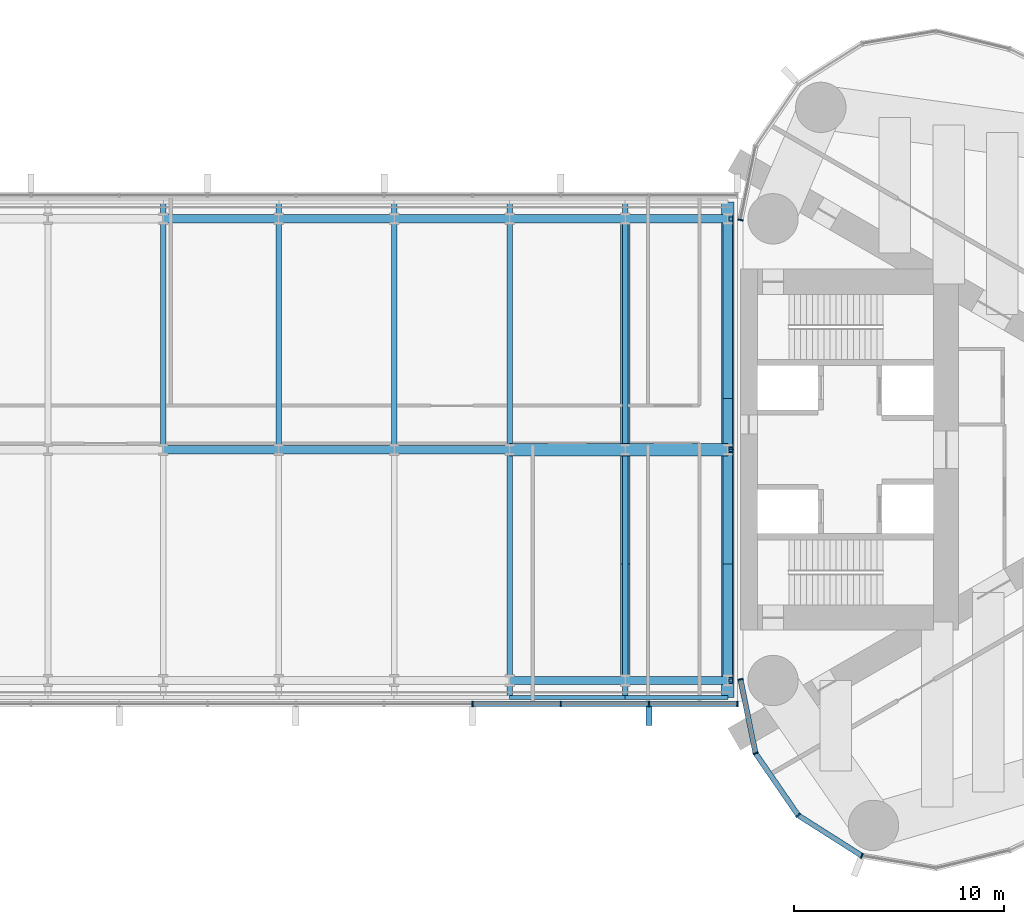
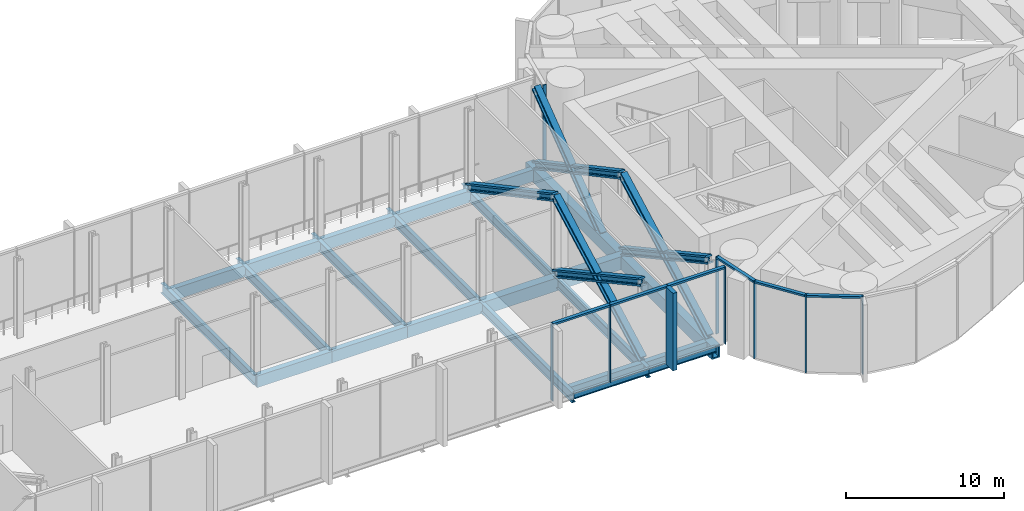
# One storey, part 8 of 21: 23 beams, 23 members, 2 elements without a shape of their own.
"""IFC4 building model written with IfcOpenShell, lengths in metres."""

from ifc_helpers import new_model, si_unit, direction, frame, origin, origin_2d, place, context, subcontext, project, spatial, rectangle, hollow_rectangle, i_section, extrude, material, material_profile, profile_set, type_object, element, aggregate, save


model = new_model("IFC4")

# Units and contexts
model_context = context("Model", 3, precision=1e-05, world=origin(), true_north=direction((0.0, 1.0)))
body_context = subcontext(model_context, "Body", "Model", "MODEL_VIEW")
ifc_project = project(units=[si_unit("LENGTHUNIT", "METRE"), si_unit("AREAUNIT", "SQUARE_METRE"), si_unit("VOLUMEUNIT", "CUBIC_METRE"), si_unit("PLANEANGLEUNIT", "RADIAN"), si_unit("MASSUNIT", "GRAM", prefix="KILO")], contexts=[model_context])

# Site, building, storey
site_placement = place(None, origin())
site = spatial("IfcSite", under=ifc_project, at=site_placement, CompositionType="ELEMENT")
building_placement = place(site_placement, origin())
building = spatial("IfcBuilding", under=site, at=building_placement, Name="Lancet Gate Hotel", CompositionType="ELEMENT")
storey_placement = place(building_placement, frame((0.0, 0.0, 257.300048828125)))
storey = spatial("IfcBuildingStorey", under=building, at=storey_placement, Name="L68", CompositionType="ELEMENT", Elevation=257.300048828125)

# Curtain wall, members
ifc_material_1 = material(Name="Aluminium curtain wall", Category="aluminium")
curtain_wall_type = type_object("IfcCurtainWallType", Name="Sky deck full-height glazing", PredefinedType="USERDEFINED", material=ifc_material_1)
curtain_wall_1_placement = place(storey_placement, origin())
curtain_wall_1 = element("IfcCurtainWall", 1, at=curtain_wall_1_placement, inside=storey, type_object=curtain_wall_type, Name="T2 L68 curtain wall 1", ObjectType="UNITISED CURTAIN WALL", PredefinedType="USERDEFINED")
ifc_material_2 = material(Name="Aluminium mullion", Category="aluminium")
ifc_material_profile_1 = material_profile(ifc_material_2, rectangle(XDim=0.06494140625, YDim=0.25, at=origin_2d()), Name="MULLION 65x250")
ifc_profile_set_1 = profile_set([ifc_material_profile_1], Name="Aluminium mullion")
member_type_1 = type_object("IfcMemberType", Name="Aluminium mullion 65x250", PredefinedType="MULLION", material=ifc_profile_set_1)
member_1_placement = place(storey_placement, frame((27.5, -10.947998046875, 0.0), z_axis=(0.0, 0.0, 1.0), x_axis=(0.199533486841, -0.979891008036, 0.0)))
member_1 = element("IfcMember", 2, at=member_1_placement, type_object=member_type_1, Name="T2 L68 curtain wall 1 mullion 1", PredefinedType="MULLION", context=body_context, shape_type="SweptSolid", body=[
    extrude(rectangle(XDim=0.06494140625, YDim=0.25, at=origin_2d()), origin(), (0.0, 0.0, 1.0), 6.0),
])
member_2_placement = place(storey_placement, frame((28.216552734375, -14.467529296875, 0.0), z_axis=(0.0, 0.0, 1.0), x_axis=(0.391042139098, -0.920372775265, 0.0)))
member_2 = element("IfcMember", 3, at=member_2_placement, type_object=member_type_1, Name="T2 L68 curtain wall 1 mullion 2", PredefinedType="MULLION", context=body_context, shape_type="SweptSolid", body=[
    extrude(rectangle(XDim=0.06494140625, YDim=0.25, at=origin_2d()), origin(), (0.0, 0.0, 1.0), 6.0),
])
member_3_placement = place(storey_placement, frame((30.25244140625, -17.42626953125, 0.0), z_axis=(0.0, 0.0, 1.0), x_axis=(0.719809077627, -0.694172090886, 0.0)))
member_3 = element("IfcMember", 4, at=member_3_placement, type_object=member_type_1, Name="T2 L68 curtain wall 1 mullion 3", PredefinedType="MULLION", context=body_context, shape_type="SweptSolid", body=[
    extrude(rectangle(XDim=0.06494140625, YDim=0.25, at=origin_2d()), origin(), (0.0, 0.0, 1.0), 6.0),
])
member_4_placement = place(storey_placement, frame((33.283203125, -19.353515625, 0.0), z_axis=(0.0, 0.0, 1.0), x_axis=(0.93394321776, -0.357421412343, 0.0)))
member_4 = element("IfcMember", 5, at=member_4_placement, type_object=member_type_1, Name="T2 L68 curtain wall 1 mullion 4", PredefinedType="MULLION", context=body_context, shape_type="SweptSolid", body=[
    extrude(rectangle(XDim=0.06494140625, YDim=0.25, at=origin_2d()), origin(), (0.0, 0.0, 1.0), 6.0),
])
member_5_placement = place(storey_placement, frame((27.5, 10.947998046875, 0.0), z_axis=(0.0, 0.0, 1.0), x_axis=(-0.199533486841, -0.979891008036, 0.0)))
member_5 = element("IfcMember", 6, at=member_5_placement, type_object=member_type_1, Name="T2 L68 curtain wall 1 mullion 27", PredefinedType="MULLION", context=body_context, shape_type="SweptSolid", body=[
    extrude(rectangle(XDim=0.06494140625, YDim=0.25, at=origin_2d()), origin(), (0.0, 0.0, 1.0), 6.0),
])

curtain_wall_2_placement = place(storey_placement, origin())
curtain_wall_2 = element("IfcCurtainWall", 7, at=curtain_wall_2_placement, inside=storey, type_object=curtain_wall_type, Name="Bridge block L68 curtain wall S", ObjectType="UNITISED CURTAIN WALL", PredefinedType="USERDEFINED")
member_6_placement = place(storey_placement, frame((14.726806640625, -12.1201171875, 0.0), z_axis=(0.0, 0.0, 1.0), x_axis=(1.0, 0.0, 0.0)))
member_6 = element("IfcMember", 8, at=member_6_placement, type_object=member_type_1, Name="Bridge block L68 curtain wall S mullion 11", PredefinedType="MULLION", context=body_context, shape_type="SweptSolid", body=[
    extrude(rectangle(XDim=0.06494140625, YDim=0.25, at=origin_2d()), origin(), (0.0, 0.0, 1.0), 6.0),
])
member_7_placement = place(storey_placement, frame((18.9345703125, -12.1201171875, 0.0), z_axis=(0.0, 0.0, 1.0), x_axis=(1.0, 0.0, 0.0)))
member_7 = element("IfcMember", 9, at=member_7_placement, type_object=member_type_1, Name="Bridge block L68 curtain wall S mullion 12", PredefinedType="MULLION", context=body_context, shape_type="SweptSolid", body=[
    extrude(rectangle(XDim=0.06494140625, YDim=0.25, at=origin_2d()), origin(), (0.0, 0.0, 1.0), 6.0),
])
member_8_placement = place(storey_placement, frame((23.142333984375, -12.1201171875, 0.0), z_axis=(0.0, 0.0, 1.0), x_axis=(1.0, 0.0, 0.0)))
member_8 = element("IfcMember", 10, at=member_8_placement, type_object=member_type_1, Name="Bridge block L68 curtain wall S mullion 13", PredefinedType="MULLION", context=body_context, shape_type="SweptSolid", body=[
    extrude(rectangle(XDim=0.06494140625, YDim=0.25, at=origin_2d()), origin(), (0.0, 0.0, 1.0), 6.0),
])
member_9_placement = place(storey_placement, frame((27.35009765625, -12.1201171875, 0.0), z_axis=(0.0, 0.0, 1.0), x_axis=(1.0, 0.0, 0.0)))
member_9 = element("IfcMember", 11, at=member_9_placement, type_object=member_type_1, Name="Bridge block L68 curtain wall S mullion 14", PredefinedType="MULLION", context=body_context, shape_type="SweptSolid", body=[
    extrude(rectangle(XDim=0.06494140625, YDim=0.25, at=origin_2d()), origin(), (0.0, 0.0, 1.0), 6.0),
])

# Member
ifc_material_3 = material(Name="Aluminium transom", Category="aluminium")
ifc_material_profile_2 = material_profile(ifc_material_3, rectangle(XDim=0.25, YDim=0.14990234375, at=origin_2d()), Name="TRANSOM 250x150")
ifc_profile_set_2 = profile_set([ifc_material_profile_2], Name="Aluminium transom")
member_type_2 = type_object("IfcMemberType", Name="Aluminium transom 250x150", PredefinedType="USERDEFINED", material=ifc_profile_set_2)
member_10_placement = place(storey_placement, frame((27.506591796875, -10.97998046875, 5.925048828125), z_axis=(0.19952323725, -0.979893095086, 0.0), x_axis=(0.979893095086, 0.19952323725, 0.0)))
member_10 = element("IfcMember", 12, at=member_10_placement, type_object=member_type_2, Name="T2 L68 curtain wall 1 transom 1", ObjectType="TRANSOM", PredefinedType="USERDEFINED", context=body_context, shape_type="SweptSolid", body=[
    extrude(rectangle(XDim=0.25, YDim=0.14990234375, at=origin_2d()), origin(), (0.0, 0.0, 1.0), 3.5263671875),
])

member_11_placement = place(storey_placement, frame((28.235107421875, -14.494140625, 5.925048828125), z_axis=(0.566813768052, -0.82384595183, 0.0), x_axis=(0.82384595183, 0.566813768052, 0.0)))
member_11 = element("IfcMember", 13, at=member_11_placement, type_object=member_type_2, Name="T2 L68 curtain wall 1 transom 2", ObjectType="TRANSOM", PredefinedType="USERDEFINED", context=body_context, shape_type="SweptSolid", body=[
    extrude(rectangle(XDim=0.25, YDim=0.14990234375, at=origin_2d()), origin(), (0.0, 0.0, 1.0), 3.52685546875),
])

member_12_placement = place(storey_placement, frame((30.27978515625, -17.44384765625, 5.925048828125), z_axis=(0.84385811281, -0.536566384938, 0.0), x_axis=(0.536566384938, 0.84385811281, 0.0)))
member_12 = element("IfcMember", 14, at=member_12_placement, type_object=member_type_2, Name="T2 L68 curtain wall 1 transom 3", ObjectType="TRANSOM", PredefinedType="USERDEFINED", context=body_context, shape_type="SweptSolid", body=[
    extrude(rectangle(XDim=0.25, YDim=0.14990234375, at=origin_2d()), origin(), (0.0, 0.0, 1.0), 3.52685546875),
])

aggregate(curtain_wall_1, [member_1, member_2, member_3, member_4, member_5, member_10, member_11, member_12])

member_13_placement = place(storey_placement, frame((14.759521484375, -12.1201171875, 5.925048828125), z_axis=(1.0, 0.0, 0.0), x_axis=(0.0, 1.0, 0.0)))
member_13 = element("IfcMember", 15, at=member_13_placement, type_object=member_type_2, Name="Bridge block L68 curtain wall S transom 11", ObjectType="TRANSOM", PredefinedType="USERDEFINED", context=body_context, shape_type="SweptSolid", body=[
    extrude(rectangle(XDim=0.25, YDim=0.14990234375, at=origin_2d()), origin(), (0.0, 0.0, 1.0), 4.142578125),
])

member_14_placement = place(storey_placement, frame((18.967041015625, -12.1201171875, 5.925048828125), z_axis=(1.0, 0.0, 0.0), x_axis=(0.0, 1.0, 0.0)))
member_14 = element("IfcMember", 16, at=member_14_placement, type_object=member_type_2, Name="Bridge block L68 curtain wall S transom 12", ObjectType="TRANSOM", PredefinedType="USERDEFINED", context=body_context, shape_type="SweptSolid", body=[
    extrude(rectangle(XDim=0.25, YDim=0.14990234375, at=origin_2d()), origin(), (0.0, 0.0, 1.0), 4.142822265625),
])

member_15_placement = place(storey_placement, frame((23.1748046875, -12.1201171875, 5.925048828125), z_axis=(1.0, 0.0, 0.0), x_axis=(0.0, 1.0, 0.0)))
member_15 = element("IfcMember", 17, at=member_15_placement, type_object=member_type_2, Name="Bridge block L68 curtain wall S transom 13", ObjectType="TRANSOM", PredefinedType="USERDEFINED", context=body_context, shape_type="SweptSolid", body=[
    extrude(rectangle(XDim=0.25, YDim=0.14990234375, at=origin_2d()), origin(), (0.0, 0.0, 1.0), 4.142578125),
])

# Beams
ifc_material_4 = material(Name="Steel S355", Category="steel")
ifc_material_profile_3 = material_profile(ifc_material_4, i_section(OverallWidth=0.26806640625, OverallDepth=0.769775390625, WebThickness=0.015625, FlangeThickness=0.025390625, FilletRadius=0.0166015625, at=origin_2d()), Name="UKB 762x267x197")
ifc_profile_set_3 = profile_set([ifc_material_profile_3], Name="Steel S355")
beam_type_1 = type_object("IfcBeamType", Name="Block assembly floor beam UKB 762x267x197", PredefinedType="JOIST", material=ifc_profile_set_3)
for number, where, z_axis, x_axis, name in (
    (18, (0.0, 0.0, -0.5849609375), (0.0, 1.0, 0.0), (-1.0, 0.0, 0.0), "Block beam x5 N L68"),
    (19, (5.5, 0.0, -0.5849609375), (0.0, 1.0, 0.0), (-1.0, 0.0, 0.0), "Block beam x6 N L68"),
    (20, (11.0, 0.0, -0.5849609375), (0.0, 1.0, 0.0), (-1.0, 0.0, 0.0), "Block beam x7 N L68"),
    (21, (16.5, -11.800048828125, -0.5849609375), (0.0, 1.0, 0.0), (-1.0, 0.0, 0.0), "Block beam x8 S L68"),
    (22, (16.5, 0.0, -0.5849609375), (0.0, 1.0, 0.0), (-1.0, 0.0, 0.0), "Block beam x8 N L68"),
    (23, (22.0, -11.800048828125, -0.5849609375), (0.0, 1.0, 0.0), (-1.0, 0.0, 0.0), "Block beam x9 S L68"),
    (24, (22.0, 0.0, -0.5849609375), (0.0, 1.0, 0.0), (-1.0, 0.0, 0.0), "Block beam x9 N L68"),
):
    element("IfcBeam", number, at=place(storey_placement, frame(where, z_axis=z_axis, x_axis=x_axis)), inside=storey, type_object=beam_type_1, Name=name, PredefinedType="JOIST", context=body_context, shape_type="SweptSolid", body=[
        extrude(i_section(OverallWidth=0.26806640625, OverallDepth=0.769775390625, WebThickness=0.015625, FlangeThickness=0.025390625, FilletRadius=0.0166015625, at=origin_2d()), origin(), (0.0, 0.0, 1.0), 11.800048828125),
    ])

# Members
ifc_material_5 = material(Name="Steel S460", Category="steel")
ifc_material_profile_4 = material_profile(ifc_material_5, i_section(OverallWidth=0.4541015625, OverallDepth=0.569091796875, WebThickness=0.077880859375, FlangeThickness=0.125, FilletRadius=0.02001953125, at=origin_2d()), Name="HD 400x1086")
ifc_profile_set_4 = profile_set([ifc_material_profile_4], Name="Steel S460")
member_type_3 = type_object("IfcMemberType", Name="Block brace HD 400x1086", PredefinedType="BRACE", material=ifc_profile_set_4)
member_16_placement = place(storey_placement, frame((26.89990234375, -11.0, 0.0), z_axis=(0.0, 0.881244921755, 0.472659907207), x_axis=(-1.0, 0.0, 0.0)))
element("IfcMember", 25, at=member_16_placement, inside=storey, type_object=member_type_3, Name="Block brace EY11 L68", PredefinedType="BRACE", context=body_context, shape_type="SweptSolid", body=[
    extrude(i_section(OverallWidth=0.4541015625, OverallDepth=0.569091796875, WebThickness=0.077880859375, FlangeThickness=0.125, FilletRadius=0.02001953125, at=origin_2d()), origin(), (0.0, 0.0, 1.0), 12.482421875),
])
member_17_placement = place(storey_placement, frame((26.89990234375, 0.0, 0.0), z_axis=(0.0, -0.877895572914, 0.478852130681), x_axis=(1.0, 0.0, 0.0)))
element("IfcMember", 26, at=member_17_placement, inside=storey, type_object=member_type_3, Name="Block brace EY12 L68", PredefinedType="BRACE", context=body_context, shape_type="SweptSolid", body=[
    extrude(i_section(OverallWidth=0.4541015625, OverallDepth=0.569091796875, WebThickness=0.077880859375, FlangeThickness=0.125, FilletRadius=0.02001953125, at=origin_2d()), origin(), (0.0, 0.0, 1.0), 12.530029296875),
])
for number, where, z_axis, x_axis, name in (
    (27, (26.89990234375, 11.0, 0.0), (0.0, -0.881244921755, 0.472659907207), (1.0, 0.0, 0.0), "Block brace EY22 L68"),
    (28, (22.0, -11.0, 0.0), (0.0, 0.881244921755, 0.472659907207), (-1.0, 0.0, 0.0), "Block brace EI11 L68"),
):
    element("IfcMember", number, at=place(storey_placement, frame(where, z_axis=z_axis, x_axis=x_axis)), inside=storey, type_object=member_type_3, Name=name, PredefinedType="BRACE", context=body_context, shape_type="SweptSolid", body=[
        extrude(i_section(OverallWidth=0.4541015625, OverallDepth=0.569091796875, WebThickness=0.077880859375, FlangeThickness=0.125, FilletRadius=0.02001953125, at=origin_2d()), origin(), (0.0, 0.0, 1.0), 12.482421875),
    ])
member_18_placement = place(storey_placement, frame((22.0, 0.0, 0.0), z_axis=(0.0, -0.877895572914, 0.478852130681), x_axis=(1.0, 0.0, 0.0)))
element("IfcMember", 29, at=member_18_placement, inside=storey, type_object=member_type_3, Name="Block brace EI12 L68", PredefinedType="BRACE", context=body_context, shape_type="SweptSolid", body=[
    extrude(i_section(OverallWidth=0.4541015625, OverallDepth=0.569091796875, WebThickness=0.077880859375, FlangeThickness=0.125, FilletRadius=0.02001953125, at=origin_2d()), origin(), (0.0, 0.0, 1.0), 12.530029296875),
])
member_19_placement = place(storey_placement, frame((22.0, 11.0, 0.0), z_axis=(0.0, -0.881244921755, 0.472659907207), x_axis=(1.0, 0.0, 0.0)))
element("IfcMember", 30, at=member_19_placement, inside=storey, type_object=member_type_3, Name="Block brace EI22 L68", PredefinedType="BRACE", context=body_context, shape_type="SweptSolid", body=[
    extrude(i_section(OverallWidth=0.4541015625, OverallDepth=0.569091796875, WebThickness=0.077880859375, FlangeThickness=0.125, FilletRadius=0.02001953125, at=origin_2d()), origin(), (0.0, 0.0, 1.0), 12.482421875),
])
member_20_placement = place(storey_placement, frame((26.89990234375, 2.60009765625, -0.300048828125), z_axis=(0.0, 0.799994419582, 0.600007440485), x_axis=(-1.0, 0.0, 0.0)))
element("IfcMember", 31, at=member_20_placement, inside=storey, type_object=member_type_3, Name="Block brace EY23 L68", PredefinedType="BRACE", context=body_context, shape_type="SweptSolid", body=[
    extrude(i_section(OverallWidth=0.4541015625, OverallDepth=0.569091796875, WebThickness=0.077880859375, FlangeThickness=0.125, FilletRadius=0.02001953125, at=origin_2d()), origin(), (0.0, 0.0, 1.0), 10.5),
])

# Beams
ifc_material_6 = material(Name="Steel S355", Category="steel")
ifc_material_profile_5 = material_profile(ifc_material_6, i_section(OverallWidth=0.19140625, OverallDepth=0.4599609375, WebThickness=0.010009765625, FlangeThickness=0.01611328125, FilletRadius=0.01025390625, at=origin_2d()), Name="UKB 457x191x82")
ifc_profile_set_5 = profile_set([ifc_material_profile_5], Name="Steel S355")
beam_type_2 = type_object("IfcBeamType", Name="Block edge beam UKB 457x191x82", PredefinedType="SPANDREL", material=ifc_profile_set_5)
beam_1_placement = place(storey_placement, frame((16.5, -11.800048828125, -0.429931640625), z_axis=(1.0, 0.0, 0.0), x_axis=(0.0, 1.0, 0.0)))
element("IfcBeam", 32, at=beam_1_placement, inside=storey, type_object=beam_type_2, Name="Block edge beam S 8-9 L68", PredefinedType="SPANDREL", context=body_context, shape_type="SweptSolid", body=[
    extrude(i_section(OverallWidth=0.19140625, OverallDepth=0.4599609375, WebThickness=0.010009765625, FlangeThickness=0.01611328125, FilletRadius=0.01025390625, at=origin_2d()), origin(), (0.0, 0.0, 1.0), 5.5),
])
beam_2_placement = place(storey_placement, frame((22.0, -11.800048828125, -0.429931640625), z_axis=(1.0, 0.0, 0.0), x_axis=(0.0, 1.0, 0.0)))
element("IfcBeam", 33, at=beam_2_placement, inside=storey, type_object=beam_type_2, Name="Block edge beam S 9-10 L68", PredefinedType="SPANDREL", context=body_context, shape_type="SweptSolid", body=[
    extrude(i_section(OverallWidth=0.19140625, OverallDepth=0.4599609375, WebThickness=0.010009765625, FlangeThickness=0.01611328125, FilletRadius=0.01025390625, at=origin_2d()), origin(), (0.0, 0.0, 1.0), 4.89990234375),
])
ifc_material_7 = material(Name="Steel S460QL", Category="steel")
ifc_material_profile_6 = material_profile(ifc_material_7, hollow_rectangle(XDim=0.60009765625, YDim=1.0, WallThickness=0.10009765625, at=origin_2d()), Name="BOX 1000x600x100")
ifc_profile_set_6 = profile_set([ifc_material_profile_6], Name="Steel S460QL")
beam_type_3 = type_object("IfcBeamType", Name="Block end beam BOX 1000x600x100", PredefinedType="BEAM", material=ifc_profile_set_6)
for number, where, z_axis, x_axis, name in (
    (34, (26.89990234375, -11.800048828125, -0.699951171875), (0.0, 1.0, 0.0), (-1.0, 0.0, 0.0), "Block beam x10 S L68"),
    (35, (26.89990234375, 0.0, -0.699951171875), (0.0, 1.0, 0.0), (-1.0, 0.0, 0.0), "Block beam x10 N L68"),
):
    element("IfcBeam", number, at=place(storey_placement, frame(where, z_axis=z_axis, x_axis=x_axis)), inside=storey, type_object=beam_type_3, Name=name, PredefinedType="BEAM", context=body_context, shape_type="SweptSolid", body=[
        extrude(hollow_rectangle(XDim=0.60009765625, YDim=1.0, WallThickness=0.10009765625, at=origin_2d()), origin(), (0.0, 0.0, 1.0), 11.800048828125),
    ])
ifc_material_8 = material(Name="Steel S460QL", Category="steel")
ifc_material_profile_7 = material_profile(ifc_material_8, hollow_rectangle(XDim=0.60009765625, YDim=1.0, WallThickness=0.080078125, at=origin_2d()), Name="BOX 1000x600x80")
ifc_profile_set_7 = profile_set([ifc_material_profile_7], Name="Steel S460QL")
beam_type_4 = type_object("IfcBeamType", Name="Block primary beam BOX 1000x600x80", PredefinedType="BEAM", material=ifc_profile_set_7)
beam_3_placement = place(storey_placement, frame((16.5, 0.0, -0.699951171875), z_axis=(1.0, 0.0, 0.0), x_axis=(0.0, 1.0, 0.0)))
element("IfcBeam", 36, at=beam_3_placement, inside=storey, type_object=beam_type_4, Name="Block primary beam M 9 L68", PredefinedType="BEAM", context=body_context, shape_type="SweptSolid", body=[
    extrude(hollow_rectangle(XDim=0.60009765625, YDim=1.0, WallThickness=0.080078125, at=origin_2d()), origin(), (0.0, 0.0, 1.0), 5.5),
])
beam_4_placement = place(storey_placement, frame((22.0, 0.0, -0.699951171875), z_axis=(1.0, 0.0, 0.0), x_axis=(0.0, 1.0, 0.0)))
element("IfcBeam", 37, at=beam_4_placement, inside=storey, type_object=beam_type_4, Name="Block primary beam M 10 L68", PredefinedType="BEAM", context=body_context, shape_type="SweptSolid", body=[
    extrude(hollow_rectangle(XDim=0.60009765625, YDim=1.0, WallThickness=0.080078125, at=origin_2d()), origin(), (0.0, 0.0, 1.0), 4.89990234375),
])
ifc_material_9 = material(Name="Steel S355", Category="steel")
ifc_material_profile_8 = material_profile(ifc_material_9, hollow_rectangle(XDim=0.39990234375, YDim=0.89990234375, WallThickness=0.0400390625, at=origin_2d()), Name="BOX 900x400x40")
ifc_profile_set_8 = profile_set([ifc_material_profile_8], Name="Steel S355")
beam_type_5 = type_object("IfcBeamType", Name="Block primary beam BOX 900x400x40", PredefinedType="BEAM", material=ifc_profile_set_8)
beam_5_placement = place(storey_placement, frame((16.5, -11.0, -0.650146484375), z_axis=(1.0, 0.0, 0.0), x_axis=(0.0, 1.0, 0.0)))
element("IfcBeam", 38, at=beam_5_placement, inside=storey, type_object=beam_type_5, Name="Block primary beam S 9 L68", PredefinedType="BEAM", context=body_context, shape_type="SweptSolid", body=[
    extrude(hollow_rectangle(XDim=0.39990234375, YDim=0.89990234375, WallThickness=0.0400390625, at=origin_2d()), origin(), (0.0, 0.0, 1.0), 5.5),
])
beam_6_placement = place(storey_placement, frame((22.0, -11.0, -0.650146484375), z_axis=(1.0, 0.0, 0.0), x_axis=(0.0, 1.0, 0.0)))
element("IfcBeam", 39, at=beam_6_placement, inside=storey, type_object=beam_type_5, Name="Block primary beam S 10 L68", PredefinedType="BEAM", context=body_context, shape_type="SweptSolid", body=[
    extrude(hollow_rectangle(XDim=0.39990234375, YDim=0.89990234375, WallThickness=0.0400390625, at=origin_2d()), origin(), (0.0, 0.0, 1.0), 4.89990234375),
])
for number, where, z_axis, x_axis, name in (
    (40, (0.0, 0.0, -0.650146484375), (1.0, 0.0, 0.0), (0.0, 1.0, 0.0), "Block primary beam M 6 L68"),
    (41, (5.5, 0.0, -0.650146484375), (1.0, 0.0, 0.0), (0.0, 1.0, 0.0), "Block primary beam M 7 L68"),
    (42, (11.0, 0.0, -0.650146484375), (1.0, 0.0, 0.0), (0.0, 1.0, 0.0), "Block primary beam M 8 L68"),
    (43, (0.0, 11.0, -0.650146484375), (1.0, 0.0, 0.0), (0.0, 1.0, 0.0), "Block primary beam N 6 L68"),
    (44, (5.5, 11.0, -0.650146484375), (1.0, 0.0, 0.0), (0.0, 1.0, 0.0), "Block primary beam N 7 L68"),
    (45, (11.0, 11.0, -0.650146484375), (1.0, 0.0, 0.0), (0.0, 1.0, 0.0), "Block primary beam N 8 L68"),
    (46, (16.5, 11.0, -0.650146484375), (1.0, 0.0, 0.0), (0.0, 1.0, 0.0), "Block primary beam N 9 L68"),
):
    element("IfcBeam", number, at=place(storey_placement, frame(where, z_axis=z_axis, x_axis=x_axis)), inside=storey, type_object=beam_type_5, Name=name, PredefinedType="BEAM", context=body_context, shape_type="SweptSolid", body=[
        extrude(hollow_rectangle(XDim=0.39990234375, YDim=0.89990234375, WallThickness=0.0400390625, at=origin_2d()), origin(), (0.0, 0.0, 1.0), 5.5),
    ])
beam_7_placement = place(storey_placement, frame((22.0, 11.0, -0.650146484375), z_axis=(1.0, 0.0, 0.0), x_axis=(0.0, 1.0, 0.0)))
element("IfcBeam", 47, at=beam_7_placement, inside=storey, type_object=beam_type_5, Name="Block primary beam N 10 L68", PredefinedType="BEAM", context=body_context, shape_type="SweptSolid", body=[
    extrude(hollow_rectangle(XDim=0.39990234375, YDim=0.89990234375, WallThickness=0.0400390625, at=origin_2d()), origin(), (0.0, 0.0, 1.0), 4.89990234375),
])

# Member
ifc_material_10 = material(Name="Precast concrete C50/60", Category="concrete")
ifc_material_profile_9 = material_profile(ifc_material_10, rectangle(XDim=0.300048828125, YDim=0.89990234375, at=origin_2d()), Name="FIN 300x900")
ifc_profile_set_9 = profile_set([ifc_material_profile_9], Name="Precast concrete C50/60")
member_type_4 = type_object("IfcMemberType", Name="Exposed concrete fin 300x900", PredefinedType="USERDEFINED", material=ifc_profile_set_9)
member_21_placement = place(storey_placement, frame((23.142333984375, -12.695068359375, 0.0), z_axis=(0.0, 0.0, 1.0), x_axis=(1.0, 0.0, 0.0)))
member_21 = element("IfcMember", 48, at=member_21_placement, type_object=member_type_4, Name="Bridge block L68 curtain wall S fin 13", ObjectType="FIN", PredefinedType="USERDEFINED", context=body_context, shape_type="SweptSolid", body=[
    extrude(rectangle(XDim=0.300048828125, YDim=0.89990234375, at=origin_2d()), origin(), (0.0, 0.0, 1.0), 6.0),
])

aggregate(curtain_wall_2, [member_6, member_7, member_8, member_21, member_9, member_13, member_14, member_15])

save(model, "model.ifc")
